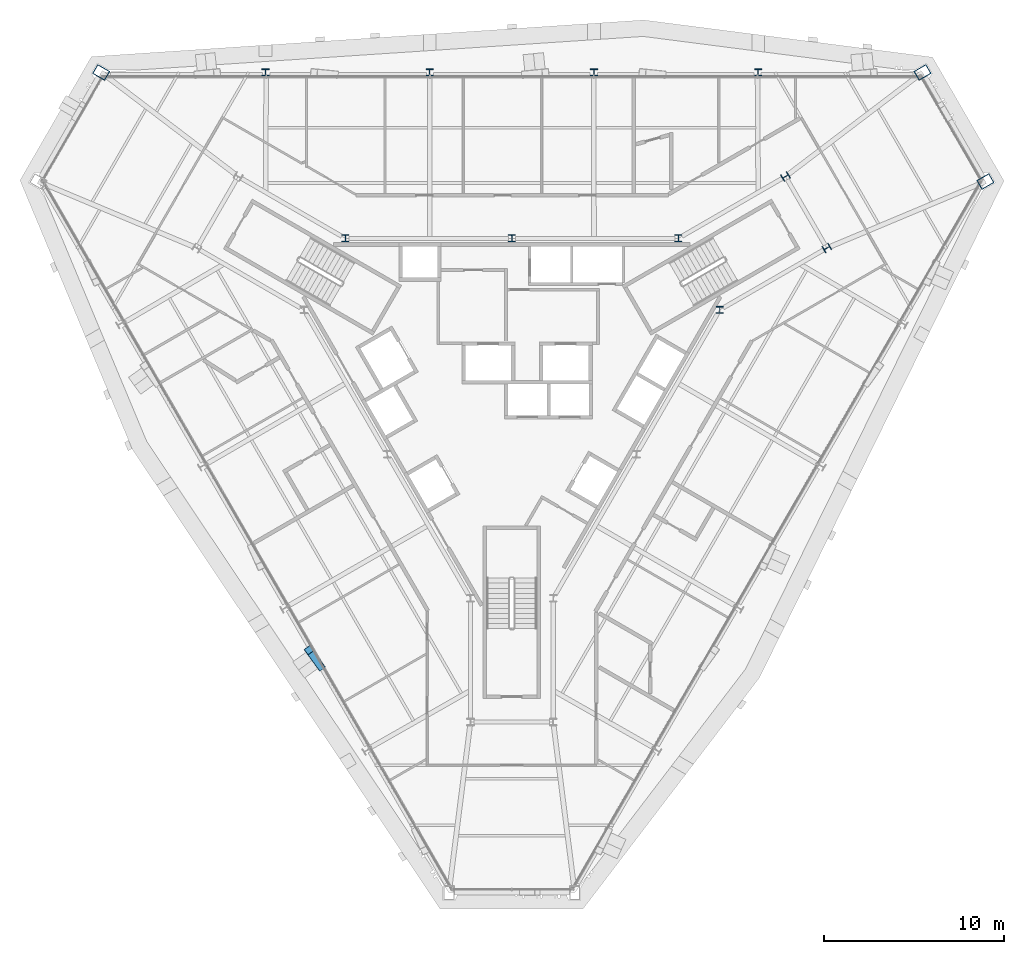
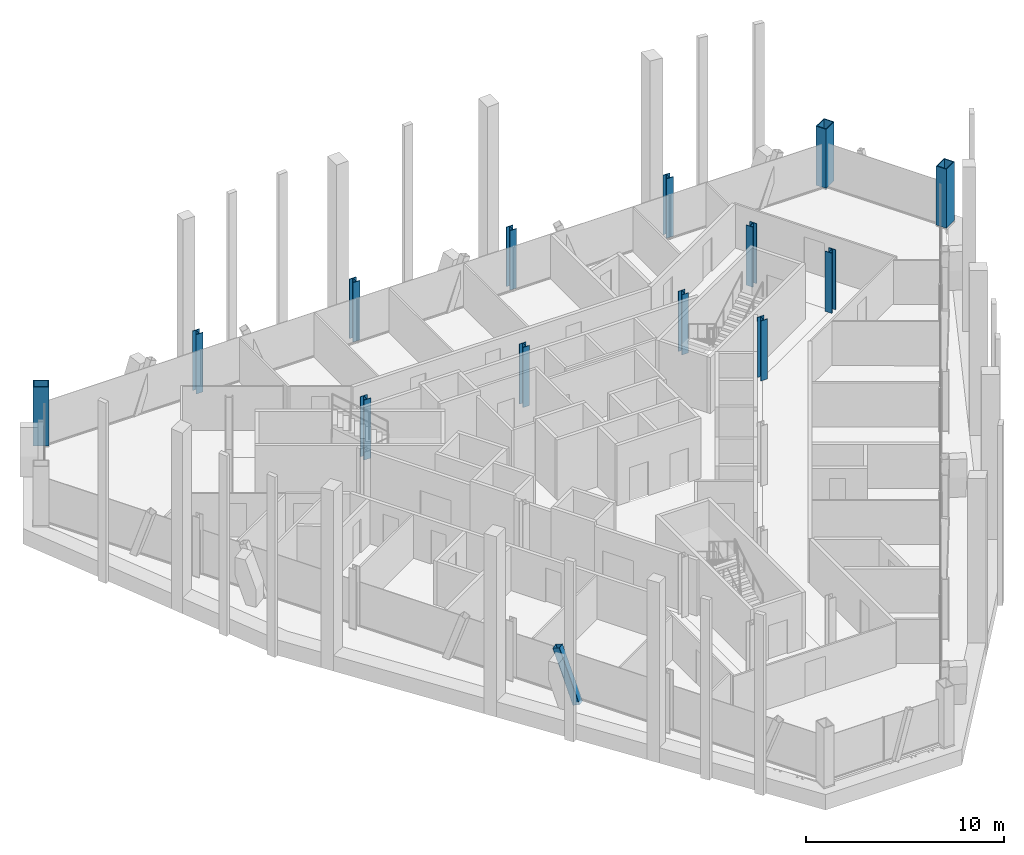
# One storey, part 2 of 16: 13 columns, 1 member.
"""IFC4 building model written with IfcOpenShell, lengths in metres."""

from ifc_helpers import new_model, si_unit, direction, frame, origin, origin_2d, place, context, subcontext, project, spatial, hollow_rectangle, i_section, extrude, material, material_profile, profile_set, type_object, element, save


model = new_model("IFC4")

# Units and contexts
model_context = context("Model", 3, precision=1e-05, world=origin(), true_north=direction((0.0, 1.0)))
body_context = subcontext(model_context, "Body", "Model", "MODEL_VIEW")
ifc_project = project(units=[si_unit("LENGTHUNIT", "METRE"), si_unit("AREAUNIT", "SQUARE_METRE"), si_unit("VOLUMEUNIT", "CUBIC_METRE"), si_unit("PLANEANGLEUNIT", "RADIAN"), si_unit("MASSUNIT", "GRAM", prefix="KILO")], contexts=[model_context])

# Site, building, storey
site_placement = place(None, origin())
site = spatial("IfcSite", under=ifc_project, at=site_placement, CompositionType="ELEMENT")
building_placement = place(site_placement, origin())
building = spatial("IfcBuilding", under=site, at=building_placement, Name="Verrane Prism Tower", CompositionType="ELEMENT")
storey_placement = place(building_placement, frame((0.0, 0.0, 247.10009765625)))
storey = spatial("IfcBuildingStorey", under=building, at=storey_placement, Name="L62", CompositionType="ELEMENT", Elevation=247.10009765625)

# Columns
ifc_material_1 = material(Name="Steel A992", Category="steel")
ifc_material_profile_1 = material_profile(ifc_material_1, i_section(OverallWidth=0.4013671875, OverallDepth=0.398681640625, WebThickness=0.02490234375, FlangeThickness=0.03955078125, FilletRadius=0.01513671875, at=origin_2d()), Name="W14x211")
ifc_profile_set_1 = profile_set([ifc_material_profile_1], Name="Steel A992")
column_type_1 = type_object("IfcColumnType", Name="Core corner column W14x211", PredefinedType="COLUMN", material=ifc_profile_set_1)
for number, where, z_axis, x_axis, name in (
    (1, (17.52001953125, 7.4599609375, 0.0), (0.0, 0.0, 1.0), (0.5, -0.866025403784, 0.0), "Core corner column CK-NEm L62"),
    (2, (15.219970703125, 11.43994140625, 0.0), (0.0, 0.0, 1.0), (0.5, -0.866025403784, 0.0), "Core corner column CK-NEp L62"),
):
    element("IfcColumn", number, at=place(storey_placement, frame(where, z_axis=z_axis, x_axis=x_axis)), inside=storey, type_object=column_type_1, Name=name, PredefinedType="COLUMN", context=body_context, shape_type="SweptSolid", body=[
        extrude(i_section(OverallWidth=0.4013671875, OverallDepth=0.398681640625, WebThickness=0.02490234375, FlangeThickness=0.03955078125, FilletRadius=0.01513671875, at=origin_2d()), origin(), (0.0, 0.0, 1.0), 3.699951171875),
    ])
ifc_material_2 = material(Name="Steel A992", Category="steel")
ifc_material_profile_2 = material_profile(ifc_material_2, i_section(OverallWidth=0.398681640625, OverallDepth=0.385986328125, WebThickness=0.02099609375, FlangeThickness=0.033203125, FilletRadius=0.01513671875, at=origin_2d()), Name="W14x176")
ifc_profile_set_2 = profile_set([ifc_material_profile_2], Name="Steel A992")
column_type_2 = type_object("IfcColumnType", Name="Core side column W14x176", PredefinedType="COLUMN", material=ifc_profile_set_2)
for number, where, z_axis, x_axis, name in (
    (3, (11.56005859375, 4.02001953125, 0.0), (0.0, 0.0, 1.0), (1.0, 0.0, 0.0), "Core side column CC-NEm L62"),
    (4, (9.260009765625, 8.0, 0.0), (0.0, 0.0, 1.0), (1.0, 0.0, 0.0), "Core side column CC-NEp L62"),
    (5, (0.0, 8.0, 0.0), (0.0, 0.0, 1.0), (1.0, 0.0, 0.0), "Core side column CC-N0 L62"),
    (6, (-9.260009765625, 8.0, 0.0), (0.0, 0.0, 1.0), (1.0, 0.0, 0.0), "Core side column CC-NWm L62"),
):
    element("IfcColumn", number, at=place(storey_placement, frame(where, z_axis=z_axis, x_axis=x_axis)), inside=storey, type_object=column_type_2, Name=name, PredefinedType="COLUMN", context=body_context, shape_type="SweptSolid", body=[
        extrude(i_section(OverallWidth=0.398681640625, OverallDepth=0.385986328125, WebThickness=0.02099609375, FlangeThickness=0.033203125, FilletRadius=0.01513671875, at=origin_2d()), origin(), (0.0, 0.0, 1.0), 3.699951171875),
    ])
ifc_material_3 = material(Name="Steel A572 Grade 50", Category="steel")
ifc_material_profile_3 = material_profile(ifc_material_3, hollow_rectangle(XDim=0.60009765625, YDim=0.800048828125, WallThickness=0.050048828125, at=origin_2d()), Name="BOX 800x600x50")
ifc_profile_set_3 = profile_set([ifc_material_profile_3], Name="Steel A572 Grade 50")
column_type_3 = type_object("IfcColumnType", Name="Megacolumn BOX 800x600x50", PredefinedType="COLUMN", material=ifc_profile_set_3)
for number, where, z_axis, x_axis, name in (
    (7, (22.840087890625, 17.22998046875, 0.06494140625), (0.0, 0.0, 1.0), (0.5, -0.866025403784, 0.0), "Megacolumn MC-NE.b L62"),
    (8, (-22.840087890625, 17.22998046875, 0.06494140625), (0.0, 0.0, 1.0), (0.5, 0.866025403784, 0.0), "Megacolumn MC-NW.a L62"),
    (9, (26.340087890625, 11.159912109375, 0.06494140625), (0.0, 0.0, 1.0), (0.5, -0.866025403784, 0.0), "Megacolumn MC-NE.a L62"),
):
    element("IfcColumn", number, at=place(storey_placement, frame(where, z_axis=z_axis, x_axis=x_axis)), inside=storey, type_object=column_type_3, Name=name, PredefinedType="COLUMN", context=body_context, shape_type="SweptSolid", body=[
        extrude(hollow_rectangle(XDim=0.60009765625, YDim=0.800048828125, WallThickness=0.050048828125, at=origin_2d()), origin(), (0.0, 0.0, 1.0), 3.635009765625),
    ])
ifc_material_4 = material(Name="Steel A992", Category="steel")
ifc_material_profile_4 = material_profile(ifc_material_4, i_section(OverallWidth=0.398681640625, OverallDepth=0.385986328125, WebThickness=0.02099609375, FlangeThickness=0.033203125, FilletRadius=0.01513671875, at=origin_2d()), Name="W14x176")
ifc_profile_set_4 = profile_set([ifc_material_profile_4], Name="Steel A992")
column_type_4 = type_object("IfcColumnType", Name="Perimeter column W14x176", PredefinedType="COLUMN", material=ifc_profile_set_4)
for number, where, z_axis, x_axis, name in (
    (10, (13.699951171875, 17.22998046875, 0.034912109375), (0.0, 0.0, 1.0), (1.0, 0.0, 0.0), "Perimeter column PC-N1 L62"),
    (11, (4.570068359375, 17.22998046875, 0.034912109375), (0.0, 0.0, 1.0), (1.0, 0.0, 0.0), "Perimeter column PC-N2 L62"),
    (12, (-4.570068359375, 17.22998046875, 0.034912109375), (0.0, 0.0, 1.0), (1.0, 0.0, 0.0), "Perimeter column PC-N3 L62"),
    (13, (-13.699951171875, 17.22998046875, 0.034912109375), (0.0, 0.0, 1.0), (1.0, 0.0, 0.0), "Perimeter column PC-N4 L62"),
):
    element("IfcColumn", number, at=place(storey_placement, frame(where, z_axis=z_axis, x_axis=x_axis)), inside=storey, type_object=column_type_4, Name=name, PredefinedType="COLUMN", context=body_context, shape_type="SweptSolid", body=[
        extrude(i_section(OverallWidth=0.398681640625, OverallDepth=0.385986328125, WebThickness=0.02099609375, FlangeThickness=0.033203125, FilletRadius=0.01513671875, at=origin_2d()), origin(), (0.0, 0.0, 1.0), 3.6650390625),
    ])

# Member
ifc_material_5 = material(Name="Steel A500 Grade C", Category="steel")
ifc_material_profile_5 = material_profile(ifc_material_5, hollow_rectangle(XDim=0.406494140625, YDim=0.406494140625, WallThickness=0.01904296875, InnerFilletRadius=0.009521484375, OuterFilletRadius=0.028564453125, at=origin_2d()), Name="HSS16x16x3/4")
ifc_profile_set_5 = profile_set([ifc_material_profile_5], Name="Steel A500 Grade C")
member_type = type_object("IfcMemberType", Name="Facade brace HSS16x16x3/4", PredefinedType="BRACE", material=ifc_profile_set_5)
member_placement = place(storey_placement, frame((-10.637451171875, -15.805419921875, -0.216796875), z_axis=(-0.193049256884, 0.265911644572, 0.944469682784), x_axis=(-0.809229470828, -0.587492692332, 0.0)))
element("IfcMember", 14, at=member_placement, inside=storey, type_object=member_type, Name="Facade brace SW3 L62", PredefinedType="BRACE", context=body_context, shape_type="SweptSolid", body=[
    extrude(hollow_rectangle(XDim=0.406494140625, YDim=0.406494140625, WallThickness=0.01904296875, InnerFilletRadius=0.009521484375, OuterFilletRadius=0.028564453125, at=origin_2d()), origin(), (0.0, 0.0, 1.0), 3.38427734375),
])

save(model, "model.ifc")
